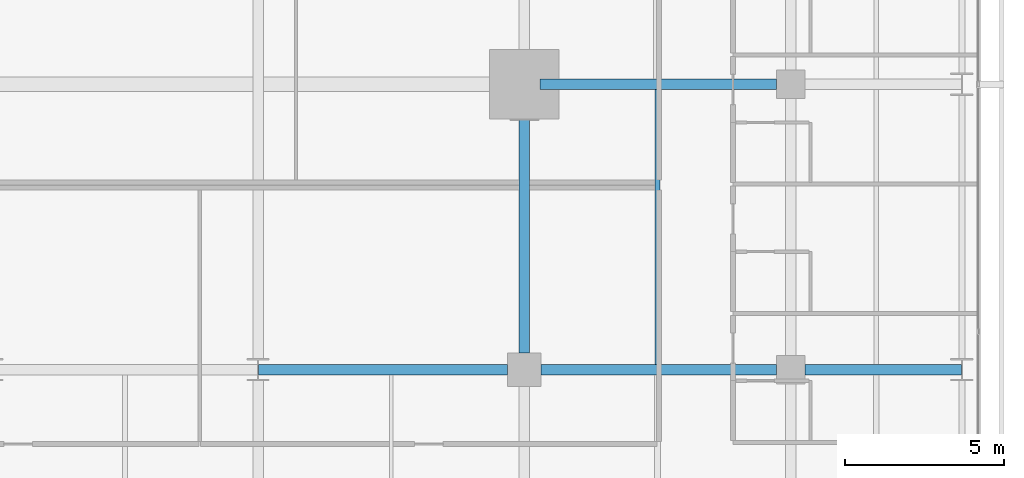
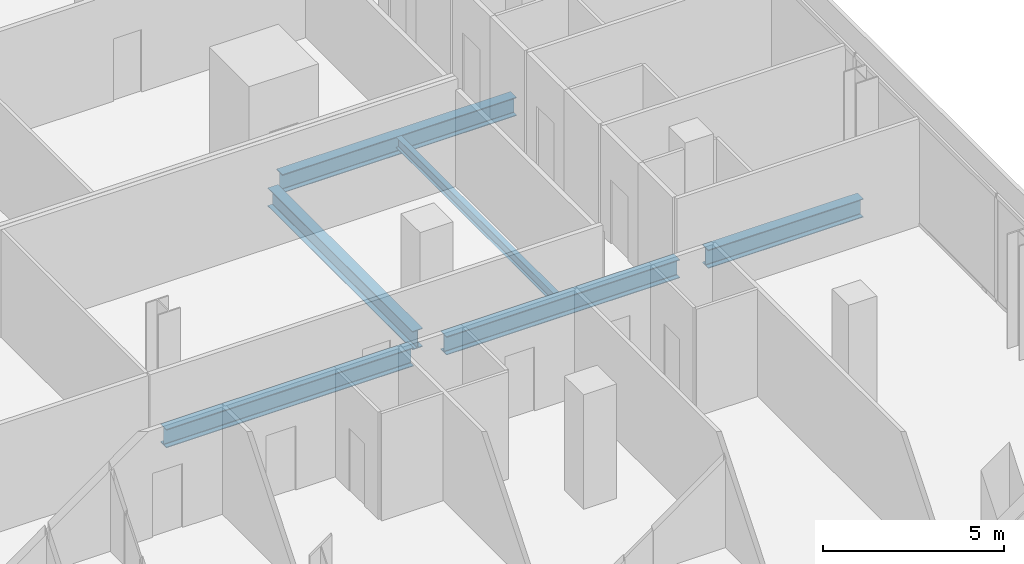
# One storey, part 18 of 41: 6 beams.
"""IFC4 building model written with IfcOpenShell, lengths in metres."""

from ifc_helpers import new_model, si_unit, direction, frame, origin, origin_2d, place, context, subcontext, project, spatial, i_section, extrude, material, material_profile, profile_set, type_object, element, save


model = new_model("IFC4")

# Units and contexts
model_context = context("Model", 3, precision=1e-05, world=origin(), true_north=direction((0.0, 1.0)))
body_context = subcontext(model_context, "Body", "Model", "MODEL_VIEW")
ifc_project = project(units=[si_unit("LENGTHUNIT", "METRE"), si_unit("AREAUNIT", "SQUARE_METRE"), si_unit("VOLUMEUNIT", "CUBIC_METRE"), si_unit("PLANEANGLEUNIT", "RADIAN"), si_unit("MASSUNIT", "GRAM", prefix="KILO")], contexts=[model_context])

# Site, building, storey
site_placement = place(None, origin())
site = spatial("IfcSite", under=ifc_project, at=site_placement, CompositionType="ELEMENT")
building_placement = place(site_placement, origin())
building = spatial("IfcBuilding", under=site, at=building_placement, Name="Maruvema Waterfront Hotel and Observation Tower", CompositionType="ELEMENT")
storey_placement = place(building_placement, frame((0.0, 0.0, 61.60009765625)))
storey = spatial("IfcBuildingStorey", under=building, at=storey_placement, Name="L14", CompositionType="ELEMENT", Elevation=61.60009765625)

# Beams
ifc_material_1 = material(Name="Steel ASTM A572 Grade 50", Category="steel")
ifc_material_profile_1 = material_profile(ifc_material_1, i_section(OverallWidth=0.326904296875, OverallDepth=0.6220703125, WebThickness=0.015380859375, FlangeThickness=0.0244140625, FilletRadius=0.01806640625, at=origin_2d()), Name="W610x195.0")
ifc_profile_set_1 = profile_set([ifc_material_profile_1], Name="Steel ASTM A572 Grade 50")
beam_type_1 = type_object("IfcBeamType", Name="Primary Floor Girder W610x195.0", PredefinedType="BEAM", material=ifc_profile_set_1)
beam_1_placement = place(storey_placement, frame((42.013916015625, 18.0, -0.551025390625), z_axis=(1.0, 0.0, 0.0), x_axis=(0.0, 1.0, 0.0)))
element("IfcBeam", 1, at=beam_1_placement, inside=storey, type_object=beam_type_1, Name="L14 Floor Girder EW-17", PredefinedType="BEAM", context=body_context, shape_type="SweptSolid", body=[
    extrude(i_section(OverallWidth=0.326904296875, OverallDepth=0.6220703125, WebThickness=0.015380859375, FlangeThickness=0.0244140625, FilletRadius=0.01806640625, at=origin_2d()), origin(), (0.0, 0.0, 1.0), 7.861083984375),
])
beam_2_placement = place(storey_placement, frame((50.925048828125, 18.0, -0.551025390625), z_axis=(1.0, 0.0, 0.0), x_axis=(0.0, 1.0, 0.0)))
element("IfcBeam", 2, at=beam_2_placement, inside=storey, type_object=beam_type_1, Name="L14 Floor Girder EW-18", PredefinedType="BEAM", context=body_context, shape_type="SweptSolid", body=[
    extrude(i_section(OverallWidth=0.326904296875, OverallDepth=0.6220703125, WebThickness=0.015380859375, FlangeThickness=0.0244140625, FilletRadius=0.01806640625, at=origin_2d()), origin(), (0.0, 0.0, 1.0), 7.425048828125),
])
beam_3_placement = place(storey_placement, frame((59.25, 18.0, -0.551025390625), z_axis=(1.0, 0.0, 0.0), x_axis=(0.0, 1.0, 0.0)))
element("IfcBeam", 3, at=beam_3_placement, inside=storey, type_object=beam_type_1, Name="L14 Floor Girder EW-19", PredefinedType="BEAM", context=body_context, shape_type="SweptSolid", body=[
    extrude(i_section(OverallWidth=0.326904296875, OverallDepth=0.6220703125, WebThickness=0.015380859375, FlangeThickness=0.0244140625, FilletRadius=0.01806640625, at=origin_2d()), origin(), (0.0, 0.0, 1.0), 4.93603515625),
])
beam_4_placement = place(storey_placement, frame((50.89990234375, 27.0, -0.551025390625), z_axis=(1.0, 0.0, 0.0), x_axis=(0.0, 1.0, 0.0)))
element("IfcBeam", 4, at=beam_4_placement, inside=storey, type_object=beam_type_1, Name="L14 Floor Girder EW-23", PredefinedType="BEAM", context=body_context, shape_type="SweptSolid", body=[
    extrude(i_section(OverallWidth=0.326904296875, OverallDepth=0.6220703125, WebThickness=0.015380859375, FlangeThickness=0.0244140625, FilletRadius=0.01806640625, at=origin_2d()), origin(), (0.0, 0.0, 1.0), 7.4501953125),
])
beam_5_placement = place(storey_placement, frame((50.39990234375, 18.52490234375, -0.551025390625), z_axis=(0.0, 1.0, 0.0), x_axis=(-1.0, 0.0, 0.0)))
element("IfcBeam", 5, at=beam_5_placement, inside=storey, type_object=beam_type_1, Name="L14 Floor Girder NS-24", PredefinedType="BEAM", context=body_context, shape_type="SweptSolid", body=[
    extrude(i_section(OverallWidth=0.326904296875, OverallDepth=0.6220703125, WebThickness=0.015380859375, FlangeThickness=0.0244140625, FilletRadius=0.01806640625, at=origin_2d()), origin(), (0.0, 0.0, 1.0), 7.97509765625),
])
ifc_material_2 = material(Name="Steel ASTM A572 Grade 50", Category="steel")
ifc_material_profile_2 = material_profile(ifc_material_2, i_section(OverallWidth=0.1708984375, OverallDepth=0.35498046875, WebThickness=0.007080078125, FlangeThickness=0.01171875, FilletRadius=0.014892578125, at=origin_2d()), Name="W360x51.0")
ifc_profile_set_2 = profile_set([ifc_material_profile_2], Name="Steel ASTM A572 Grade 50")
beam_type_2 = type_object("IfcBeamType", Name="Secondary Floor Joist W360x51.0", PredefinedType="JOIST", material=ifc_profile_set_2)
beam_6_placement = place(storey_placement, frame((54.60009765625, 18.16357421875, -0.41748046875), z_axis=(0.0, 1.0, 0.0), x_axis=(-1.0, 0.0, 0.0)))
element("IfcBeam", 6, at=beam_6_placement, inside=storey, type_object=beam_type_2, Name="L14 Secondary Floor Joist JS-18", PredefinedType="JOIST", context=body_context, shape_type="SweptSolid", body=[
    extrude(i_section(OverallWidth=0.1708984375, OverallDepth=0.35498046875, WebThickness=0.007080078125, FlangeThickness=0.01171875, FilletRadius=0.014892578125, at=origin_2d()), origin(), (0.0, 0.0, 1.0), 8.6728515625),
])

save(model, "model.ifc")
